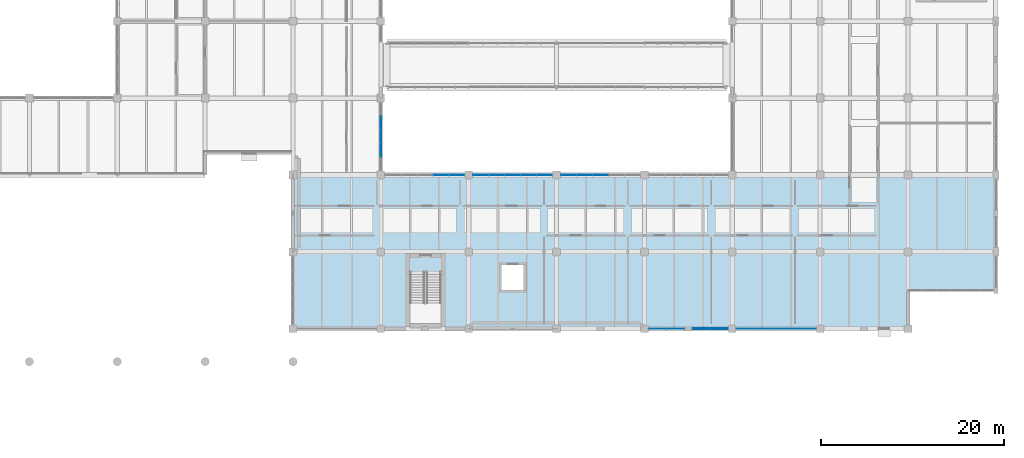
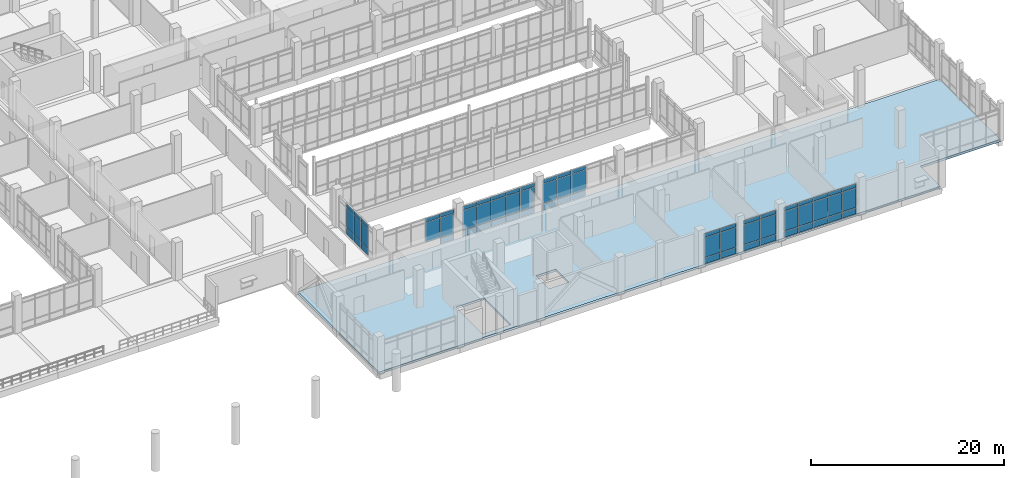
# One storey, part 96 of 152: 65 plates, 1 slab, 7 elements without a shape of their own.
"""IFC4 building model written with IfcOpenShell, lengths in metres."""

from ifc_helpers import new_model, si_unit, direction, frame, origin, origin_2d, place, context, subcontext, project, spatial, polyline, rectangle, outline, extrude, material, layer, layer_set, type_object, element, aggregate, save


model = new_model("IFC4")

# Units and contexts
model_context = context("Model", 3, precision=1e-05, world=origin(), true_north=direction((0.0, 1.0)))
body_context = subcontext(model_context, "Body", "Model", "MODEL_VIEW")
ifc_project = project(units=[si_unit("LENGTHUNIT", "METRE"), si_unit("AREAUNIT", "SQUARE_METRE"), si_unit("VOLUMEUNIT", "CUBIC_METRE"), si_unit("PLANEANGLEUNIT", "RADIAN"), si_unit("MASSUNIT", "GRAM", prefix="KILO")], contexts=[model_context])

# Site, building, storey
site_placement = place(None, origin())
site = spatial("IfcSite", under=ifc_project, at=site_placement, CompositionType="ELEMENT")
building_placement = place(site_placement, origin())
building = spatial("IfcBuilding", under=site, at=building_placement, Name="Oolite Switchyard Hospital", CompositionType="ELEMENT")
storey_placement = place(building_placement, frame((0.0, 0.0, 5.10009765625)))
storey = spatial("IfcBuildingStorey", under=building, at=storey_placement, Name="L01", CompositionType="ELEMENT", Elevation=5.10009765625)

# Curtain wall, plates
ifc_material_1 = material(Name="Thermally broken aluminum frame with laminated impact glazing", Category="aluminium")
curtain_wall_type_1 = type_object("IfcCurtainWallType", Name="CW-UNIT-84X48", PredefinedType="USERDEFINED", material=ifc_material_1)
curtain_wall_1_placement = place(storey_placement, origin())
curtain_wall_1 = element("IfcCurtainWall", 1, at=curtain_wall_1_placement, inside=storey, type_object=curtain_wall_type_1, Name="L01 Unitised Curtain Wall 99", ObjectType="UNITISED", PredefinedType="USERDEFINED")
ifc_material_2 = material(Name="Insulated fluoropolymer-coated aluminum spandrel panel", Category="aluminium")
ifc_layer_1 = layer(ifc_material_2, 0.070068359375)
ifc_layer_set_1 = layer_set([ifc_layer_1], Name="CW-PNL-SPN70")
plate_type_1 = type_object("IfcPlateType", Name="CW-PNL-SPN70", PredefinedType="CURTAIN_PANEL", material=ifc_layer_set_1)
plate_1_placement = place(storey_placement, frame((180.949951171875, 8.39990234375, 0.07470703125), z_axis=(0.0, 0.0, 1.0), x_axis=(-1.0, 0.0, 0.0)))
plate_1 = element("IfcPlate", 2, at=plate_1_placement, type_object=plate_type_1, Name="CW-07 panel 1.1", PredefinedType="CURTAIN_PANEL", context=body_context, shape_type="SweptSolid", body=[
    extrude(rectangle(XDim=1.8798828125, YDim=0.070068359375, at=origin_2d()), origin(), (0.0, 0.0, 1.0), 0.737548828125),
])
plate_2_placement = place(storey_placement, frame((180.949951171875, 8.39990234375, 0.88720703125), z_axis=(0.0, 0.0, 1.0), x_axis=(-1.0, 0.0, 0.0)))
plate_2 = element("IfcPlate", 3, at=plate_2_placement, type_object=plate_type_1, Name="CW-07 panel 1.2", PredefinedType="CURTAIN_PANEL", context=body_context, shape_type="SweptSolid", body=[
    extrude(rectangle(XDim=1.8798828125, YDim=0.070068359375, at=origin_2d()), origin(), (0.0, 0.0, 1.0), 2.465087890625),
])
plate_3_placement = place(storey_placement, frame((180.949951171875, 8.39990234375, 3.427490234375), z_axis=(0.0, 0.0, 1.0), x_axis=(-1.0, 0.0, 0.0)))
plate_3 = element("IfcPlate", 4, at=plate_3_placement, type_object=plate_type_1, Name="CW-07 panel 1.3", PredefinedType="CURTAIN_PANEL", context=body_context, shape_type="SweptSolid", body=[
    extrude(rectangle(XDim=1.8798828125, YDim=0.070068359375, at=origin_2d()), origin(), (0.0, 0.0, 1.0), 0.4375),
])
plate_4_placement = place(storey_placement, frame((179.0, 8.39990234375, 0.07470703125), z_axis=(0.0, 0.0, 1.0), x_axis=(-1.0, 0.0, 0.0)))
plate_4 = element("IfcPlate", 5, at=plate_4_placement, type_object=plate_type_1, Name="CW-07 panel 2.1", PredefinedType="CURTAIN_PANEL", context=body_context, shape_type="SweptSolid", body=[
    extrude(rectangle(XDim=1.8798828125, YDim=0.070068359375, at=origin_2d()), origin(), (0.0, 0.0, 1.0), 0.737548828125),
])
plate_5_placement = place(storey_placement, frame((179.0, 8.39990234375, 0.88720703125), z_axis=(0.0, 0.0, 1.0), x_axis=(-1.0, 0.0, 0.0)))
plate_5 = element("IfcPlate", 6, at=plate_5_placement, type_object=plate_type_1, Name="CW-07 panel 2.2", PredefinedType="CURTAIN_PANEL", context=body_context, shape_type="SweptSolid", body=[
    extrude(rectangle(XDim=1.8798828125, YDim=0.070068359375, at=origin_2d()), origin(), (0.0, 0.0, 1.0), 2.465087890625),
])
plate_6_placement = place(storey_placement, frame((179.0, 8.39990234375, 3.427490234375), z_axis=(0.0, 0.0, 1.0), x_axis=(-1.0, 0.0, 0.0)))
plate_6 = element("IfcPlate", 7, at=plate_6_placement, type_object=plate_type_1, Name="CW-07 panel 2.3", PredefinedType="CURTAIN_PANEL", context=body_context, shape_type="SweptSolid", body=[
    extrude(rectangle(XDim=1.8798828125, YDim=0.070068359375, at=origin_2d()), origin(), (0.0, 0.0, 1.0), 0.4375),
])
aggregate(curtain_wall_1, [plate_1, plate_2, plate_3, plate_4, plate_5, plate_6])

curtain_wall_type_2 = type_object("IfcCurtainWallType", Name="CW-UNIT-96X48", PredefinedType="USERDEFINED", material=ifc_material_1)
curtain_wall_2_placement = place(storey_placement, origin())
curtain_wall_2 = element("IfcCurtainWall", 8, at=curtain_wall_2_placement, inside=storey, type_object=curtain_wall_type_2, Name="L01 Unitised Curtain Wall 105", ObjectType="UNITISED", PredefinedType="USERDEFINED")
plate_7_placement = place(storey_placement, frame((154.929443359375, 25.199951171875, 0.07470703125), z_axis=(0.0, 0.0, 1.0), x_axis=(1.0, 0.0, 0.0)))
plate_7 = element("IfcPlate", 9, at=plate_7_placement, type_object=plate_type_1, Name="CW-02 panel 1.1", PredefinedType="CURTAIN_PANEL", context=body_context, shape_type="SweptSolid", body=[
    extrude(rectangle(XDim=1.638916015625, YDim=0.070068359375, at=origin_2d()), origin(), (0.0, 0.0, 1.0), 0.737548828125),
])
plate_8_placement = place(storey_placement, frame((154.929443359375, 25.199951171875, 0.88720703125), z_axis=(0.0, 0.0, 1.0), x_axis=(1.0, 0.0, 0.0)))
plate_8 = element("IfcPlate", 10, at=plate_8_placement, type_object=plate_type_1, Name="CW-02 panel 1.2", PredefinedType="CURTAIN_PANEL", context=body_context, shape_type="SweptSolid", body=[
    extrude(rectangle(XDim=1.638916015625, YDim=0.070068359375, at=origin_2d()), origin(), (0.0, 0.0, 1.0), 2.465087890625),
])
plate_9_placement = place(storey_placement, frame((154.929443359375, 25.199951171875, 3.427490234375), z_axis=(0.0, 0.0, 1.0), x_axis=(1.0, 0.0, 0.0)))
plate_9 = element("IfcPlate", 11, at=plate_9_placement, type_object=plate_type_1, Name="CW-02 panel 1.3", PredefinedType="CURTAIN_PANEL", context=body_context, shape_type="SweptSolid", body=[
    extrude(rectangle(XDim=1.638916015625, YDim=0.070068359375, at=origin_2d()), origin(), (0.0, 0.0, 1.0), 0.4375),
])
plate_10_placement = place(storey_placement, frame((156.656005859375, 25.199951171875, 0.07470703125), z_axis=(0.0, 0.0, 1.0), x_axis=(1.0, 0.0, 0.0)))
plate_10 = element("IfcPlate", 12, at=plate_10_placement, type_object=plate_type_1, Name="CW-02 panel 2.1", PredefinedType="CURTAIN_PANEL", context=body_context, shape_type="SweptSolid", body=[
    extrude(rectangle(XDim=1.674072265625, YDim=0.070068359375, at=origin_2d()), origin(), (0.0, 0.0, 1.0), 0.737548828125),
])
plate_11_placement = place(storey_placement, frame((156.656005859375, 25.199951171875, 0.88720703125), z_axis=(0.0, 0.0, 1.0), x_axis=(1.0, 0.0, 0.0)))
plate_11 = element("IfcPlate", 13, at=plate_11_placement, type_object=plate_type_1, Name="CW-02 panel 2.2", PredefinedType="CURTAIN_PANEL", context=body_context, shape_type="SweptSolid", body=[
    extrude(rectangle(XDim=1.674072265625, YDim=0.070068359375, at=origin_2d()), origin(), (0.0, 0.0, 1.0), 2.465087890625),
])
plate_12_placement = place(storey_placement, frame((156.656005859375, 25.199951171875, 3.427490234375), z_axis=(0.0, 0.0, 1.0), x_axis=(1.0, 0.0, 0.0)))
plate_12 = element("IfcPlate", 14, at=plate_12_placement, type_object=plate_type_1, Name="CW-02 panel 2.3", PredefinedType="CURTAIN_PANEL", context=body_context, shape_type="SweptSolid", body=[
    extrude(rectangle(XDim=1.674072265625, YDim=0.070068359375, at=origin_2d()), origin(), (0.0, 0.0, 1.0), 0.4375),
])
plate_13_placement = place(storey_placement, frame((158.39990234375, 25.199951171875, 0.07470703125), z_axis=(0.0, 0.0, 1.0), x_axis=(1.0, 0.0, 0.0)))
plate_13 = element("IfcPlate", 15, at=plate_13_placement, type_object=plate_type_1, Name="CW-02 panel 3.1", PredefinedType="CURTAIN_PANEL", context=body_context, shape_type="SweptSolid", body=[
    extrude(rectangle(XDim=1.674072265625, YDim=0.070068359375, at=origin_2d()), origin(), (0.0, 0.0, 1.0), 0.737548828125),
])
plate_14_placement = place(storey_placement, frame((158.39990234375, 25.199951171875, 0.88720703125), z_axis=(0.0, 0.0, 1.0), x_axis=(1.0, 0.0, 0.0)))
plate_14 = element("IfcPlate", 16, at=plate_14_placement, type_object=plate_type_1, Name="CW-02 panel 3.2", PredefinedType="CURTAIN_PANEL", context=body_context, shape_type="SweptSolid", body=[
    extrude(rectangle(XDim=1.674072265625, YDim=0.070068359375, at=origin_2d()), origin(), (0.0, 0.0, 1.0), 2.465087890625),
])
plate_15_placement = place(storey_placement, frame((158.39990234375, 25.199951171875, 3.427490234375), z_axis=(0.0, 0.0, 1.0), x_axis=(1.0, 0.0, 0.0)))
plate_15 = element("IfcPlate", 17, at=plate_15_placement, type_object=plate_type_1, Name="CW-02 panel 3.3", PredefinedType="CURTAIN_PANEL", context=body_context, shape_type="SweptSolid", body=[
    extrude(rectangle(XDim=1.674072265625, YDim=0.070068359375, at=origin_2d()), origin(), (0.0, 0.0, 1.0), 0.4375),
])
plate_16_placement = place(storey_placement, frame((160.14404296875, 25.199951171875, 0.07470703125), z_axis=(0.0, 0.0, 1.0), x_axis=(1.0, 0.0, 0.0)))
plate_16 = element("IfcPlate", 18, at=plate_16_placement, type_object=plate_type_1, Name="CW-02 panel 4.1", PredefinedType="CURTAIN_PANEL", context=body_context, shape_type="SweptSolid", body=[
    extrude(rectangle(XDim=1.674072265625, YDim=0.070068359375, at=origin_2d()), origin(), (0.0, 0.0, 1.0), 0.737548828125),
])
plate_17_placement = place(storey_placement, frame((160.14404296875, 25.199951171875, 0.88720703125), z_axis=(0.0, 0.0, 1.0), x_axis=(1.0, 0.0, 0.0)))
plate_17 = element("IfcPlate", 19, at=plate_17_placement, type_object=plate_type_1, Name="CW-02 panel 4.2", PredefinedType="CURTAIN_PANEL", context=body_context, shape_type="SweptSolid", body=[
    extrude(rectangle(XDim=1.674072265625, YDim=0.070068359375, at=origin_2d()), origin(), (0.0, 0.0, 1.0), 2.465087890625),
])
plate_18_placement = place(storey_placement, frame((160.14404296875, 25.199951171875, 3.427490234375), z_axis=(0.0, 0.0, 1.0), x_axis=(1.0, 0.0, 0.0)))
plate_18 = element("IfcPlate", 20, at=plate_18_placement, type_object=plate_type_1, Name="CW-02 panel 4.3", PredefinedType="CURTAIN_PANEL", context=body_context, shape_type="SweptSolid", body=[
    extrude(rectangle(XDim=1.674072265625, YDim=0.070068359375, at=origin_2d()), origin(), (0.0, 0.0, 1.0), 0.4375),
])
plate_19_placement = place(storey_placement, frame((161.87060546875, 25.199951171875, 0.07470703125), z_axis=(0.0, 0.0, 1.0), x_axis=(1.0, 0.0, 0.0)))
plate_19 = element("IfcPlate", 21, at=plate_19_placement, type_object=plate_type_1, Name="CW-02 panel 5.1", PredefinedType="CURTAIN_PANEL", context=body_context, shape_type="SweptSolid", body=[
    extrude(rectangle(XDim=1.638916015625, YDim=0.070068359375, at=origin_2d()), origin(), (0.0, 0.0, 1.0), 0.737548828125),
])
plate_20_placement = place(storey_placement, frame((161.87060546875, 25.199951171875, 0.88720703125), z_axis=(0.0, 0.0, 1.0), x_axis=(1.0, 0.0, 0.0)))
plate_20 = element("IfcPlate", 22, at=plate_20_placement, type_object=plate_type_1, Name="CW-02 panel 5.2", PredefinedType="CURTAIN_PANEL", context=body_context, shape_type="SweptSolid", body=[
    extrude(rectangle(XDim=1.638916015625, YDim=0.070068359375, at=origin_2d()), origin(), (0.0, 0.0, 1.0), 2.465087890625),
])
plate_21_placement = place(storey_placement, frame((161.87060546875, 25.199951171875, 3.427490234375), z_axis=(0.0, 0.0, 1.0), x_axis=(1.0, 0.0, 0.0)))
plate_21 = element("IfcPlate", 23, at=plate_21_placement, type_object=plate_type_1, Name="CW-02 panel 5.3", PredefinedType="CURTAIN_PANEL", context=body_context, shape_type="SweptSolid", body=[
    extrude(rectangle(XDim=1.638916015625, YDim=0.070068359375, at=origin_2d()), origin(), (0.0, 0.0, 1.0), 0.4375),
])
aggregate(curtain_wall_2, [plate_7, plate_8, plate_9, plate_10, plate_11, plate_12, plate_13, plate_14, plate_15, plate_16, plate_17, plate_18, plate_19, plate_20, plate_21])

curtain_wall_3_placement = place(storey_placement, origin())
curtain_wall_3 = element("IfcCurtainWall", 24, at=curtain_wall_3_placement, inside=storey, type_object=curtain_wall_type_1, Name="L01 Unitised Curtain Wall 191", ObjectType="UNITISED", PredefinedType="USERDEFINED")
plate_22_placement = place(storey_placement, frame((144.0, 30.904052734375, 0.07470703125), z_axis=(0.0, 0.0, 1.0), x_axis=(0.0, -1.0, 0.0)))
plate_22 = element("IfcPlate", 25, at=plate_22_placement, type_object=plate_type_1, Name="CW-07 panel 2.1", PredefinedType="CURTAIN_PANEL", context=body_context, shape_type="SweptSolid", body=[
    extrude(rectangle(XDim=1.444091796875, YDim=0.070068359375, at=origin_2d()), origin(), (0.0, 0.0, 1.0), 0.737548828125),
])
plate_23_placement = place(storey_placement, frame((144.0, 30.904052734375, 0.88720703125), z_axis=(0.0, 0.0, 1.0), x_axis=(0.0, -1.0, 0.0)))
plate_23 = element("IfcPlate", 26, at=plate_23_placement, type_object=plate_type_1, Name="CW-07 panel 2.2", PredefinedType="CURTAIN_PANEL", context=body_context, shape_type="SweptSolid", body=[
    extrude(rectangle(XDim=1.444091796875, YDim=0.070068359375, at=origin_2d()), origin(), (0.0, 0.0, 1.0), 2.465087890625),
])
plate_24_placement = place(storey_placement, frame((144.0, 30.904052734375, 3.427490234375), z_axis=(0.0, 0.0, 1.0), x_axis=(0.0, -1.0, 0.0)))
plate_24 = element("IfcPlate", 27, at=plate_24_placement, type_object=plate_type_1, Name="CW-07 panel 2.3", PredefinedType="CURTAIN_PANEL", context=body_context, shape_type="SweptSolid", body=[
    extrude(rectangle(XDim=1.444091796875, YDim=0.070068359375, at=origin_2d()), origin(), (0.0, 0.0, 1.0), 0.4375),
])
plate_25_placement = place(storey_placement, frame((144.0, 29.39990234375, 0.07470703125), z_axis=(0.0, 0.0, 1.0), x_axis=(0.0, -1.0, 0.0)))
plate_25 = element("IfcPlate", 28, at=plate_25_placement, type_object=plate_type_1, Name="CW-07 panel 3.1", PredefinedType="CURTAIN_PANEL", context=body_context, shape_type="SweptSolid", body=[
    extrude(rectangle(XDim=1.444091796875, YDim=0.070068359375, at=origin_2d()), origin(), (0.0, 0.0, 1.0), 0.737548828125),
])
plate_26_placement = place(storey_placement, frame((144.0, 29.39990234375, 0.88720703125), z_axis=(0.0, 0.0, 1.0), x_axis=(0.0, -1.0, 0.0)))
plate_26 = element("IfcPlate", 29, at=plate_26_placement, type_object=plate_type_1, Name="CW-07 panel 3.2", PredefinedType="CURTAIN_PANEL", context=body_context, shape_type="SweptSolid", body=[
    extrude(rectangle(XDim=1.444091796875, YDim=0.070068359375, at=origin_2d()), origin(), (0.0, 0.0, 1.0), 2.465087890625),
])
plate_27_placement = place(storey_placement, frame((144.0, 29.39990234375, 3.427490234375), z_axis=(0.0, 0.0, 1.0), x_axis=(0.0, -1.0, 0.0)))
plate_27 = element("IfcPlate", 30, at=plate_27_placement, type_object=plate_type_1, Name="CW-07 panel 3.3", PredefinedType="CURTAIN_PANEL", context=body_context, shape_type="SweptSolid", body=[
    extrude(rectangle(XDim=1.444091796875, YDim=0.070068359375, at=origin_2d()), origin(), (0.0, 0.0, 1.0), 0.4375),
])
plate_28_placement = place(storey_placement, frame((144.0, 27.89599609375, 0.07470703125), z_axis=(0.0, 0.0, 1.0), x_axis=(0.0, -1.0, 0.0)))
plate_28 = element("IfcPlate", 31, at=plate_28_placement, type_object=plate_type_1, Name="CW-07 panel 4.1", PredefinedType="CURTAIN_PANEL", context=body_context, shape_type="SweptSolid", body=[
    extrude(rectangle(XDim=1.444091796875, YDim=0.070068359375, at=origin_2d()), origin(), (0.0, 0.0, 1.0), 0.737548828125),
])
plate_29_placement = place(storey_placement, frame((144.0, 27.89599609375, 0.88720703125), z_axis=(0.0, 0.0, 1.0), x_axis=(0.0, -1.0, 0.0)))
plate_29 = element("IfcPlate", 32, at=plate_29_placement, type_object=plate_type_1, Name="CW-07 panel 4.2", PredefinedType="CURTAIN_PANEL", context=body_context, shape_type="SweptSolid", body=[
    extrude(rectangle(XDim=1.444091796875, YDim=0.070068359375, at=origin_2d()), origin(), (0.0, 0.0, 1.0), 2.465087890625),
])
plate_30_placement = place(storey_placement, frame((144.0, 27.89599609375, 3.427490234375), z_axis=(0.0, 0.0, 1.0), x_axis=(0.0, -1.0, 0.0)))
plate_30 = element("IfcPlate", 33, at=plate_30_placement, type_object=plate_type_1, Name="CW-07 panel 4.3", PredefinedType="CURTAIN_PANEL", context=body_context, shape_type="SweptSolid", body=[
    extrude(rectangle(XDim=1.444091796875, YDim=0.070068359375, at=origin_2d()), origin(), (0.0, 0.0, 1.0), 0.4375),
])
aggregate(curtain_wall_3, [plate_22, plate_23, plate_24, plate_25, plate_26, plate_27, plate_28, plate_29, plate_30])

curtain_wall_4_placement = place(storey_placement, origin())
curtain_wall_4 = element("IfcCurtainWall", 34, at=curtain_wall_4_placement, inside=storey, type_object=curtain_wall_type_1, Name="L01 Unitised Curtain Wall 100", ObjectType="UNITISED", PredefinedType="USERDEFINED")
ifc_material_3 = material(Name="Laminated hurricane-impact insulated glazing unit", Category="glass")
ifc_layer_2 = layer(ifc_material_3, 0.028076171875)
ifc_layer_set_2 = layer_set([ifc_layer_2], Name="CW-PNL-VIS28")
plate_type_2 = type_object("IfcPlateType", Name="CW-PNL-VIS28", PredefinedType="CURTAIN_PANEL", material=ifc_layer_set_2)
plate_31_placement = place(storey_placement, frame((176.19873046875, 8.39990234375, 0.06005859375), z_axis=(0.0, 0.0, 1.0), x_axis=(-1.0, 0.0, 0.0)))
plate_31 = element("IfcPlate", 35, at=plate_31_placement, type_object=plate_type_2, Name="CW-07 panel 1.1", PredefinedType="CURTAIN_PANEL", context=body_context, shape_type="SweptSolid", body=[
    extrude(rectangle(XDim=1.87255859375, YDim=0.028076171875, at=origin_2d()), origin(), (0.0, 0.0, 1.0), 0.760009765625),
])
plate_32_placement = place(storey_placement, frame((176.19873046875, 8.39990234375, 0.8798828125), z_axis=(0.0, 0.0, 1.0), x_axis=(-1.0, 0.0, 0.0)))
plate_32 = element("IfcPlate", 36, at=plate_32_placement, type_object=plate_type_2, Name="CW-07 panel 1.2", PredefinedType="CURTAIN_PANEL", context=body_context, shape_type="SweptSolid", body=[
    extrude(rectangle(XDim=1.87255859375, YDim=0.028076171875, at=origin_2d()), origin(), (0.0, 0.0, 1.0), 2.47998046875),
])
plate_33_placement = place(storey_placement, frame((176.19873046875, 8.39990234375, 3.419921875), z_axis=(0.0, 0.0, 1.0), x_axis=(-1.0, 0.0, 0.0)))
plate_33 = element("IfcPlate", 37, at=plate_33_placement, type_object=plate_type_2, Name="CW-07 panel 1.3", PredefinedType="CURTAIN_PANEL", context=body_context, shape_type="SweptSolid", body=[
    extrude(rectangle(XDim=1.87255859375, YDim=0.028076171875, at=origin_2d()), origin(), (0.0, 0.0, 1.0), 0.4599609375),
])
plate_34_placement = place(storey_placement, frame((174.251220703125, 8.39990234375, 0.06005859375), z_axis=(0.0, 0.0, 1.0), x_axis=(-1.0, 0.0, 0.0)))
plate_34 = element("IfcPlate", 38, at=plate_34_placement, type_object=plate_type_2, Name="CW-07 panel 2.1", PredefinedType="CURTAIN_PANEL", context=body_context, shape_type="SweptSolid", body=[
    extrude(rectangle(XDim=1.87255859375, YDim=0.028076171875, at=origin_2d()), origin(), (0.0, 0.0, 1.0), 0.760009765625),
])
plate_35_placement = place(storey_placement, frame((174.251220703125, 8.39990234375, 0.8798828125), z_axis=(0.0, 0.0, 1.0), x_axis=(-1.0, 0.0, 0.0)))
plate_35 = element("IfcPlate", 39, at=plate_35_placement, type_object=plate_type_2, Name="CW-07 panel 2.2", PredefinedType="CURTAIN_PANEL", context=body_context, shape_type="SweptSolid", body=[
    extrude(rectangle(XDim=1.87255859375, YDim=0.028076171875, at=origin_2d()), origin(), (0.0, 0.0, 1.0), 2.47998046875),
])
plate_36_placement = place(storey_placement, frame((174.251220703125, 8.39990234375, 3.419921875), z_axis=(0.0, 0.0, 1.0), x_axis=(-1.0, 0.0, 0.0)))
plate_36 = element("IfcPlate", 40, at=plate_36_placement, type_object=plate_type_2, Name="CW-07 panel 2.3", PredefinedType="CURTAIN_PANEL", context=body_context, shape_type="SweptSolid", body=[
    extrude(rectangle(XDim=1.87255859375, YDim=0.028076171875, at=origin_2d()), origin(), (0.0, 0.0, 1.0), 0.4599609375),
])
aggregate(curtain_wall_4, [plate_31, plate_32, plate_33, plate_34, plate_35, plate_36])

curtain_wall_5_placement = place(storey_placement, origin())
curtain_wall_5 = element("IfcCurtainWall", 41, at=curtain_wall_5_placement, inside=storey, type_object=curtain_wall_type_2, Name="L01 Unitised Curtain Wall 106", ObjectType="UNITISED", PredefinedType="USERDEFINED")
plate_37_placement = place(storey_placement, frame((164.53076171875, 25.199951171875, 0.06005859375), z_axis=(0.0, 0.0, 1.0), x_axis=(1.0, 0.0, 0.0)))
plate_37 = element("IfcPlate", 42, at=plate_37_placement, type_object=plate_type_2, Name="CW-02 panel 1.1", PredefinedType="CURTAIN_PANEL", context=body_context, shape_type="SweptSolid", body=[
    extrude(rectangle(XDim=1.631591796875, YDim=0.028076171875, at=origin_2d()), origin(), (0.0, 0.0, 1.0), 0.760009765625),
])
plate_38_placement = place(storey_placement, frame((164.53076171875, 25.199951171875, 0.8798828125), z_axis=(0.0, 0.0, 1.0), x_axis=(1.0, 0.0, 0.0)))
plate_38 = element("IfcPlate", 43, at=plate_38_placement, type_object=plate_type_2, Name="CW-02 panel 1.2", PredefinedType="CURTAIN_PANEL", context=body_context, shape_type="SweptSolid", body=[
    extrude(rectangle(XDim=1.631591796875, YDim=0.028076171875, at=origin_2d()), origin(), (0.0, 0.0, 1.0), 2.47998046875),
])
plate_39_placement = place(storey_placement, frame((164.53076171875, 25.199951171875, 3.419921875), z_axis=(0.0, 0.0, 1.0), x_axis=(1.0, 0.0, 0.0)))
plate_39 = element("IfcPlate", 44, at=plate_39_placement, type_object=plate_type_2, Name="CW-02 panel 1.3", PredefinedType="CURTAIN_PANEL", context=body_context, shape_type="SweptSolid", body=[
    extrude(rectangle(XDim=1.631591796875, YDim=0.028076171875, at=origin_2d()), origin(), (0.0, 0.0, 1.0), 0.4599609375),
])
plate_40_placement = place(storey_placement, frame((166.256103515625, 25.199951171875, 0.06005859375), z_axis=(0.0, 0.0, 1.0), x_axis=(1.0, 0.0, 0.0)))
plate_40 = element("IfcPlate", 45, at=plate_40_placement, type_object=plate_type_2, Name="CW-02 panel 2.1", PredefinedType="CURTAIN_PANEL", context=body_context, shape_type="SweptSolid", body=[
    extrude(rectangle(XDim=1.6689453125, YDim=0.028076171875, at=origin_2d()), origin(), (0.0, 0.0, 1.0), 0.760009765625),
])
plate_41_placement = place(storey_placement, frame((166.256103515625, 25.199951171875, 0.8798828125), z_axis=(0.0, 0.0, 1.0), x_axis=(1.0, 0.0, 0.0)))
plate_41 = element("IfcPlate", 46, at=plate_41_placement, type_object=plate_type_2, Name="CW-02 panel 2.2", PredefinedType="CURTAIN_PANEL", context=body_context, shape_type="SweptSolid", body=[
    extrude(rectangle(XDim=1.6689453125, YDim=0.028076171875, at=origin_2d()), origin(), (0.0, 0.0, 1.0), 2.47998046875),
])
plate_42_placement = place(storey_placement, frame((166.256103515625, 25.199951171875, 3.419921875), z_axis=(0.0, 0.0, 1.0), x_axis=(1.0, 0.0, 0.0)))
plate_42 = element("IfcPlate", 47, at=plate_42_placement, type_object=plate_type_2, Name="CW-02 panel 2.3", PredefinedType="CURTAIN_PANEL", context=body_context, shape_type="SweptSolid", body=[
    extrude(rectangle(XDim=1.6689453125, YDim=0.028076171875, at=origin_2d()), origin(), (0.0, 0.0, 1.0), 0.4599609375),
])
plate_43_placement = place(storey_placement, frame((168.0, 25.199951171875, 0.06005859375), z_axis=(0.0, 0.0, 1.0), x_axis=(1.0, 0.0, 0.0)))
plate_43 = element("IfcPlate", 48, at=plate_43_placement, type_object=plate_type_2, Name="CW-02 panel 3.1", PredefinedType="CURTAIN_PANEL", context=body_context, shape_type="SweptSolid", body=[
    extrude(rectangle(XDim=1.6689453125, YDim=0.028076171875, at=origin_2d()), origin(), (0.0, 0.0, 1.0), 0.760009765625),
])
plate_44_placement = place(storey_placement, frame((168.0, 25.199951171875, 0.8798828125), z_axis=(0.0, 0.0, 1.0), x_axis=(1.0, 0.0, 0.0)))
plate_44 = element("IfcPlate", 49, at=plate_44_placement, type_object=plate_type_2, Name="CW-02 panel 3.2", PredefinedType="CURTAIN_PANEL", context=body_context, shape_type="SweptSolid", body=[
    extrude(rectangle(XDim=1.6689453125, YDim=0.028076171875, at=origin_2d()), origin(), (0.0, 0.0, 1.0), 2.47998046875),
])
plate_45_placement = place(storey_placement, frame((168.0, 25.199951171875, 3.419921875), z_axis=(0.0, 0.0, 1.0), x_axis=(1.0, 0.0, 0.0)))
plate_45 = element("IfcPlate", 50, at=plate_45_placement, type_object=plate_type_2, Name="CW-02 panel 3.3", PredefinedType="CURTAIN_PANEL", context=body_context, shape_type="SweptSolid", body=[
    extrude(rectangle(XDim=1.6689453125, YDim=0.028076171875, at=origin_2d()), origin(), (0.0, 0.0, 1.0), 0.4599609375),
])
aggregate(curtain_wall_5, [plate_37, plate_38, plate_39, plate_40, plate_41, plate_42, plate_43, plate_44, plate_45])

curtain_wall_6_placement = place(storey_placement, origin())
curtain_wall_6 = element("IfcCurtainWall", 51, at=curtain_wall_6_placement, inside=storey, type_object=curtain_wall_type_2, Name="L01 Unitised Curtain Wall 101", ObjectType="UNITISED", PredefinedType="USERDEFINED")
ifc_layer_3 = layer(ifc_material_3, 0.035888671875)
ifc_layer_set_3 = layer_set([ifc_layer_3], Name="CW-PNL-VIS36")
plate_type_3 = type_object("IfcPlateType", Name="CW-PNL-VIS36", PredefinedType="CURTAIN_PANEL", material=ifc_layer_set_3)
plate_46_placement = place(storey_placement, frame((190.673095703125, 8.39990234375, 0.07470703125), z_axis=(0.0, 0.0, 1.0), x_axis=(-1.0, 0.0, 0.0)))
plate_46 = element("IfcPlate", 52, at=plate_46_placement, type_object=plate_type_3, Name="CW-02 panel 1.1", PredefinedType="CURTAIN_PANEL", context=body_context, shape_type="SweptSolid", body=[
    extrude(rectangle(XDim=1.654052734375, YDim=0.035888671875, at=origin_2d()), origin(), (0.0, 0.0, 1.0), 0.737548828125),
])
plate_47_placement = place(storey_placement, frame((190.673095703125, 8.39990234375, 0.88720703125), z_axis=(0.0, 0.0, 1.0), x_axis=(-1.0, 0.0, 0.0)))
plate_47 = element("IfcPlate", 53, at=plate_47_placement, type_object=plate_type_3, Name="CW-02 panel 1.2", PredefinedType="CURTAIN_PANEL", context=body_context, shape_type="SweptSolid", body=[
    extrude(rectangle(XDim=1.654052734375, YDim=0.035888671875, at=origin_2d()), origin(), (0.0, 0.0, 1.0), 2.465087890625),
])
plate_48_placement = place(storey_placement, frame((190.673095703125, 8.39990234375, 3.427490234375), z_axis=(0.0, 0.0, 1.0), x_axis=(-1.0, 0.0, 0.0)))
plate_48 = element("IfcPlate", 54, at=plate_48_placement, type_object=plate_type_3, Name="CW-02 panel 1.3", PredefinedType="CURTAIN_PANEL", context=body_context, shape_type="SweptSolid", body=[
    extrude(rectangle(XDim=1.654052734375, YDim=0.035888671875, at=origin_2d()), origin(), (0.0, 0.0, 1.0), 0.4375),
])
plate_49_placement = place(storey_placement, frame((188.944091796875, 8.39990234375, 0.07470703125), z_axis=(0.0, 0.0, 1.0), x_axis=(-1.0, 0.0, 0.0)))
plate_49 = element("IfcPlate", 55, at=plate_49_placement, type_object=plate_type_3, Name="CW-02 panel 2.1", PredefinedType="CURTAIN_PANEL", context=body_context, shape_type="SweptSolid", body=[
    extrude(rectangle(XDim=1.68408203125, YDim=0.035888671875, at=origin_2d()), origin(), (0.0, 0.0, 1.0), 0.737548828125),
])
plate_50_placement = place(storey_placement, frame((188.944091796875, 8.39990234375, 0.88720703125), z_axis=(0.0, 0.0, 1.0), x_axis=(-1.0, 0.0, 0.0)))
plate_50 = element("IfcPlate", 56, at=plate_50_placement, type_object=plate_type_3, Name="CW-02 panel 2.2", PredefinedType="CURTAIN_PANEL", context=body_context, shape_type="SweptSolid", body=[
    extrude(rectangle(XDim=1.68408203125, YDim=0.035888671875, at=origin_2d()), origin(), (0.0, 0.0, 1.0), 2.465087890625),
])
plate_51_placement = place(storey_placement, frame((188.944091796875, 8.39990234375, 3.427490234375), z_axis=(0.0, 0.0, 1.0), x_axis=(-1.0, 0.0, 0.0)))
plate_51 = element("IfcPlate", 57, at=plate_51_placement, type_object=plate_type_3, Name="CW-02 panel 2.3", PredefinedType="CURTAIN_PANEL", context=body_context, shape_type="SweptSolid", body=[
    extrude(rectangle(XDim=1.68408203125, YDim=0.035888671875, at=origin_2d()), origin(), (0.0, 0.0, 1.0), 0.4375),
])
plate_52_placement = place(storey_placement, frame((187.199951171875, 8.39990234375, 0.07470703125), z_axis=(0.0, 0.0, 1.0), x_axis=(-1.0, 0.0, 0.0)))
plate_52 = element("IfcPlate", 58, at=plate_52_placement, type_object=plate_type_3, Name="CW-02 panel 3.1", PredefinedType="CURTAIN_PANEL", context=body_context, shape_type="SweptSolid", body=[
    extrude(rectangle(XDim=1.68408203125, YDim=0.035888671875, at=origin_2d()), origin(), (0.0, 0.0, 1.0), 0.737548828125),
])
plate_53_placement = place(storey_placement, frame((187.199951171875, 8.39990234375, 0.88720703125), z_axis=(0.0, 0.0, 1.0), x_axis=(-1.0, 0.0, 0.0)))
plate_53 = element("IfcPlate", 59, at=plate_53_placement, type_object=plate_type_3, Name="CW-02 panel 3.2", PredefinedType="CURTAIN_PANEL", context=body_context, shape_type="SweptSolid", body=[
    extrude(rectangle(XDim=1.68408203125, YDim=0.035888671875, at=origin_2d()), origin(), (0.0, 0.0, 1.0), 2.465087890625),
])
plate_54_placement = place(storey_placement, frame((187.199951171875, 8.39990234375, 3.427490234375), z_axis=(0.0, 0.0, 1.0), x_axis=(-1.0, 0.0, 0.0)))
plate_54 = element("IfcPlate", 60, at=plate_54_placement, type_object=plate_type_3, Name="CW-02 panel 3.3", PredefinedType="CURTAIN_PANEL", context=body_context, shape_type="SweptSolid", body=[
    extrude(rectangle(XDim=1.68408203125, YDim=0.035888671875, at=origin_2d()), origin(), (0.0, 0.0, 1.0), 0.4375),
])
plate_55_placement = place(storey_placement, frame((185.4560546875, 8.39990234375, 0.07470703125), z_axis=(0.0, 0.0, 1.0), x_axis=(-1.0, 0.0, 0.0)))
plate_55 = element("IfcPlate", 61, at=plate_55_placement, type_object=plate_type_3, Name="CW-02 panel 4.1", PredefinedType="CURTAIN_PANEL", context=body_context, shape_type="SweptSolid", body=[
    extrude(rectangle(XDim=1.68408203125, YDim=0.035888671875, at=origin_2d()), origin(), (0.0, 0.0, 1.0), 0.737548828125),
])
plate_56_placement = place(storey_placement, frame((185.4560546875, 8.39990234375, 0.88720703125), z_axis=(0.0, 0.0, 1.0), x_axis=(-1.0, 0.0, 0.0)))
plate_56 = element("IfcPlate", 62, at=plate_56_placement, type_object=plate_type_3, Name="CW-02 panel 4.2", PredefinedType="CURTAIN_PANEL", context=body_context, shape_type="SweptSolid", body=[
    extrude(rectangle(XDim=1.68408203125, YDim=0.035888671875, at=origin_2d()), origin(), (0.0, 0.0, 1.0), 2.465087890625),
])
plate_57_placement = place(storey_placement, frame((185.4560546875, 8.39990234375, 3.427490234375), z_axis=(0.0, 0.0, 1.0), x_axis=(-1.0, 0.0, 0.0)))
plate_57 = element("IfcPlate", 63, at=plate_57_placement, type_object=plate_type_3, Name="CW-02 panel 4.3", PredefinedType="CURTAIN_PANEL", context=body_context, shape_type="SweptSolid", body=[
    extrude(rectangle(XDim=1.68408203125, YDim=0.035888671875, at=origin_2d()), origin(), (0.0, 0.0, 1.0), 0.4375),
])
plate_58_placement = place(storey_placement, frame((183.72705078125, 8.39990234375, 0.07470703125), z_axis=(0.0, 0.0, 1.0), x_axis=(-1.0, 0.0, 0.0)))
plate_58 = element("IfcPlate", 64, at=plate_58_placement, type_object=plate_type_3, Name="CW-02 panel 5.1", PredefinedType="CURTAIN_PANEL", context=body_context, shape_type="SweptSolid", body=[
    extrude(rectangle(XDim=1.654052734375, YDim=0.035888671875, at=origin_2d()), origin(), (0.0, 0.0, 1.0), 0.737548828125),
])
plate_59_placement = place(storey_placement, frame((183.72705078125, 8.39990234375, 0.88720703125), z_axis=(0.0, 0.0, 1.0), x_axis=(-1.0, 0.0, 0.0)))
plate_59 = element("IfcPlate", 65, at=plate_59_placement, type_object=plate_type_3, Name="CW-02 panel 5.2", PredefinedType="CURTAIN_PANEL", context=body_context, shape_type="SweptSolid", body=[
    extrude(rectangle(XDim=1.654052734375, YDim=0.035888671875, at=origin_2d()), origin(), (0.0, 0.0, 1.0), 2.465087890625),
])
plate_60_placement = place(storey_placement, frame((183.72705078125, 8.39990234375, 3.427490234375), z_axis=(0.0, 0.0, 1.0), x_axis=(-1.0, 0.0, 0.0)))
plate_60 = element("IfcPlate", 66, at=plate_60_placement, type_object=plate_type_3, Name="CW-02 panel 5.3", PredefinedType="CURTAIN_PANEL", context=body_context, shape_type="SweptSolid", body=[
    extrude(rectangle(XDim=1.654052734375, YDim=0.035888671875, at=origin_2d()), origin(), (0.0, 0.0, 1.0), 0.4375),
])
aggregate(curtain_wall_6, [plate_46, plate_47, plate_48, plate_49, plate_50, plate_51, plate_52, plate_53, plate_54, plate_55, plate_56, plate_57, plate_58, plate_59, plate_60])

curtain_wall_7_placement = place(storey_placement, origin())
curtain_wall_7 = element("IfcCurtainWall", 67, at=curtain_wall_7_placement, inside=storey, type_object=curtain_wall_type_2, Name="L01 Unitised Curtain Wall 104", ObjectType="UNITISED", PredefinedType="USERDEFINED")
ifc_layer_4 = layer(ifc_material_3, 0.0419921875)
ifc_layer_set_4 = layer_set([ifc_layer_4], Name="CW-PNL-VIS42")
plate_type_4 = type_object("IfcPlateType", Name="CW-PNL-VIS42", PredefinedType="CURTAIN_PANEL", material=ifc_layer_set_4)
plate_61_placement = place(storey_placement, frame((150.5439453125, 25.199951171875, 0.8798828125), z_axis=(0.0, 0.0, 1.0), x_axis=(1.0, 0.0, 0.0)))
plate_61 = element("IfcPlate", 68, at=plate_61_placement, type_object=plate_type_4, Name="CW-02 panel 4.2", PredefinedType="CURTAIN_PANEL", context=body_context, shape_type="SweptSolid", body=[
    extrude(rectangle(XDim=1.68408203125, YDim=0.0419921875, at=origin_2d()), origin(), (0.0, 0.0, 1.0), 2.47998046875),
])
plate_62_placement = place(storey_placement, frame((150.5439453125, 25.199951171875, 3.419921875), z_axis=(0.0, 0.0, 1.0), x_axis=(1.0, 0.0, 0.0)))
plate_62 = element("IfcPlate", 69, at=plate_62_placement, type_object=plate_type_4, Name="CW-02 panel 4.3", PredefinedType="CURTAIN_PANEL", context=body_context, shape_type="SweptSolid", body=[
    extrude(rectangle(XDim=1.68408203125, YDim=0.0419921875, at=origin_2d()), origin(), (0.0, 0.0, 1.0), 0.4599609375),
])
plate_63_placement = place(storey_placement, frame((152.27294921875, 25.199951171875, 0.06005859375), z_axis=(0.0, 0.0, 1.0), x_axis=(1.0, 0.0, 0.0)))
plate_63 = element("IfcPlate", 70, at=plate_63_placement, type_object=plate_type_4, Name="CW-02 panel 5.1", PredefinedType="CURTAIN_PANEL", context=body_context, shape_type="SweptSolid", body=[
    extrude(rectangle(XDim=1.654052734375, YDim=0.0419921875, at=origin_2d()), origin(), (0.0, 0.0, 1.0), 0.760009765625),
])
plate_64_placement = place(storey_placement, frame((152.27294921875, 25.199951171875, 0.8798828125), z_axis=(0.0, 0.0, 1.0), x_axis=(1.0, 0.0, 0.0)))
plate_64 = element("IfcPlate", 71, at=plate_64_placement, type_object=plate_type_4, Name="CW-02 panel 5.2", PredefinedType="CURTAIN_PANEL", context=body_context, shape_type="SweptSolid", body=[
    extrude(rectangle(XDim=1.654052734375, YDim=0.0419921875, at=origin_2d()), origin(), (0.0, 0.0, 1.0), 2.47998046875),
])
plate_65_placement = place(storey_placement, frame((152.27294921875, 25.199951171875, 3.419921875), z_axis=(0.0, 0.0, 1.0), x_axis=(1.0, 0.0, 0.0)))
plate_65 = element("IfcPlate", 72, at=plate_65_placement, type_object=plate_type_4, Name="CW-02 panel 5.3", PredefinedType="CURTAIN_PANEL", context=body_context, shape_type="SweptSolid", body=[
    extrude(rectangle(XDim=1.654052734375, YDim=0.0419921875, at=origin_2d()), origin(), (0.0, 0.0, 1.0), 0.4599609375),
])
aggregate(curtain_wall_7, [plate_61, plate_62, plate_63, plate_64, plate_65])

# Slab
ifc_material_4 = material(Name="Concrete C40/50", Category="concrete")
ifc_layer_5 = layer(ifc_material_4, 0.27490234375)
ifc_layer_set_5 = layer_set([ifc_layer_5], Name="SLB-FLR-275")
slab_type = type_object("IfcSlabType", Name="SLB-FLR-275", PredefinedType="FLOOR", material=ifc_layer_set_5)
slab_placement = place(storey_placement, frame((0.0, 0.0, -0.275146484375)))
element("IfcSlab", 73, at=slab_placement, inside=storey, type_object=slab_type, Name="L01 V6 Slab V6S", PredefinedType="FLOOR", context=body_context, shape_type="SweptSolid", body=[
    extrude(outline(polyline([(134.39990234375, 8.39990234375), (201.60009765625, 8.39990234375), (201.60009765625, 12.60009765625), (211.199951171875, 12.60009765625), (211.199951171875, 25.199951171875), (134.39990234375, 25.199951171875), (134.39990234375, 8.39990234375)]), holes=[polyline([(147.199951171875, 14.590087890625), (147.199951171875, 9.0), (150.56005859375, 9.0), (150.56005859375, 14.590087890625), (147.199951171875, 14.590087890625)]), polyline([(157.199951171875, 12.64990234375), (159.60009765625, 12.64990234375), (159.60009765625, 15.35009765625), (157.199951171875, 15.35009765625), (157.199951171875, 12.64990234375)])]), origin(), (0.0, 0.0, 1.0), 0.275146484375),
])

save(model, "model.ifc")
